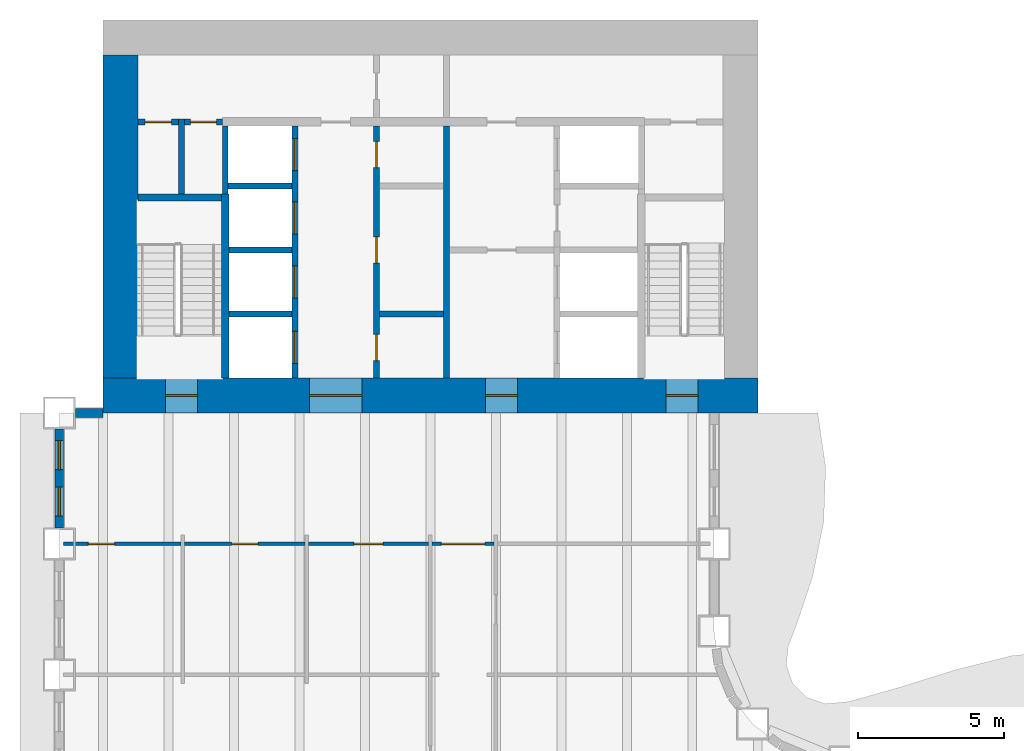
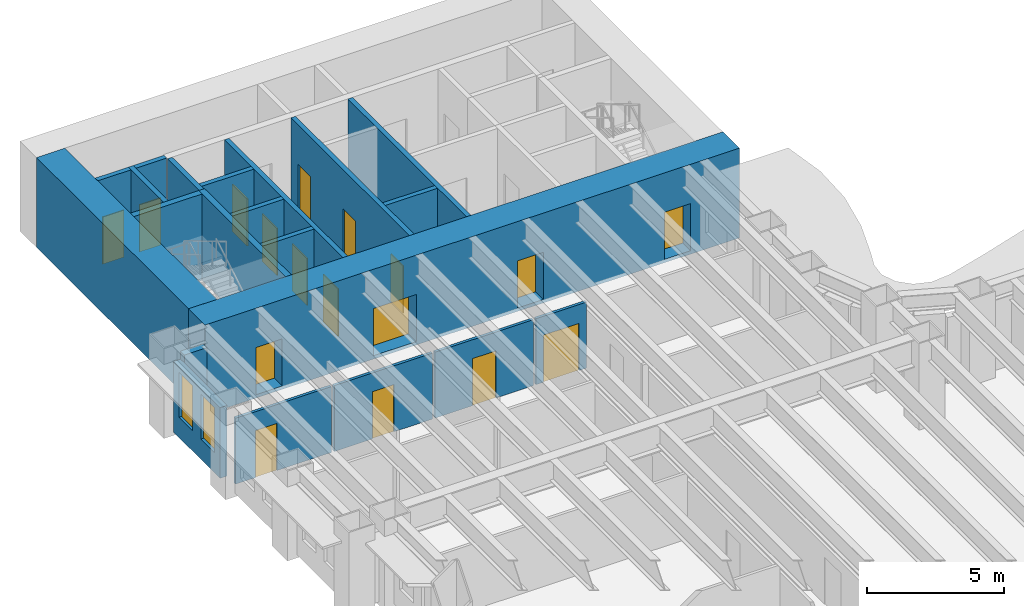
# One storey, part 8 of 17: 21 walls, 17 doors, 2 windows, 19 openings.
"""IFC4 building model written with IfcOpenShell, lengths in metres."""

from ifc_helpers import new_model, si_unit, direction, frame, frame_2d, origin, place, context, subcontext, project, spatial, rectangle, extrude, material, layer, layer_set, type_object, element, fill, save


model = new_model("IFC4")

# Units and contexts
model_context = context("Model", 3, precision=1e-05, world=origin(), true_north=direction((0.0, 1.0)))
body_context = subcontext(model_context, "Body", "Model", "MODEL_VIEW")
ifc_project = project(units=[si_unit("LENGTHUNIT", "METRE"), si_unit("AREAUNIT", "SQUARE_METRE"), si_unit("VOLUMEUNIT", "CUBIC_METRE"), si_unit("PLANEANGLEUNIT", "RADIAN"), si_unit("MASSUNIT", "GRAM", prefix="KILO")], contexts=[model_context])

# Site, building, storey
site_placement = place(None, origin())
site = spatial("IfcSite", under=ifc_project, at=site_placement, CompositionType="ELEMENT")
building_placement = place(site_placement, origin())
building = spatial("IfcBuilding", under=site, at=building_placement, Name="Sennacour Bend Tower", CompositionType="ELEMENT")
storey_placement = place(building_placement, frame((0.0, 0.0, 53.0)))
storey = spatial("IfcBuildingStorey", under=building, at=storey_placement, Name="L11", CompositionType="ELEMENT", Elevation=53.0)

# Wall, openings, doors
ifc_material_1 = material(Name="Concrete C80/95", Category="concrete")
ifc_layer_1 = layer(ifc_material_1, 1.199951171875, Name="Concrete C80/95", Category="concrete")
ifc_layer_set_1 = layer_set([ifc_layer_1], Name="Concrete C80/95")
wall_type_1 = type_object("IfcWallType", Name="Core wall 1200 C80/95", PredefinedType="SHEAR", material=ifc_layer_set_1)
wall_1_placement = place(storey_placement, frame((0.0, 36.60009765625, -0.14990234375), z_axis=(0.0, 0.0, 1.0), x_axis=(1.0, 0.0, 0.0)))
wall_1 = element("IfcWall", 1, at=wall_1_placement, inside=storey, type_object=wall_type_1, Name="Core B wall L11 S", PredefinedType="SHEAR", context=body_context, shape_type="SweptSolid", body=[
    extrude(rectangle(XDim=22.5, YDim=1.199951171875, at=frame_2d((11.25, 0.0))), origin(), (0.0, 0.0, 1.0), 4.0),
])
opening_1_placement = place(wall_1_placement, frame((7.10009765625, 0.0, 0.14990234375)))
opening_1 = element("IfcOpeningElement", 2, at=opening_1_placement, cuts=wall_1, Name="Opening CD", PredefinedType="OPENING", context=body_context, shape_type="SweptSolid", body=[
    extrude(rectangle(XDim=1.800048828125, YDim=2.10009765625, at=frame_2d((0.89990234375, 1.050048828125))), frame((0.0, 0.60986328125, 0.0), z_axis=(0.0, -1.0, 0.0), x_axis=(1.0, 0.0, 0.0)), (0.0, 0.0, 1.0), 1.219970703125),
])
opening_2_placement = place(wall_1_placement, frame((13.14990234375, 0.0, 0.14990234375)))
opening_2 = element("IfcOpeningElement", 3, at=opening_2_placement, cuts=wall_1, Name="Opening FD", PredefinedType="OPENING", context=body_context, shape_type="SweptSolid", body=[
    extrude(rectangle(XDim=1.10009765625, YDim=2.10009765625, at=frame_2d((0.550048828125, 1.050048828125))), frame((0.0, 0.60986328125, 0.0), z_axis=(0.0, -1.0, 0.0), x_axis=(1.0, 0.0, 0.0)), (0.0, 0.0, 1.0), 1.219970703125),
])
opening_3_placement = place(wall_1_placement, frame((2.14990234375, 0.0, 0.14990234375)))
opening_3 = element("IfcOpeningElement", 4, at=opening_3_placement, cuts=wall_1, Name="Opening SD", PredefinedType="OPENING", context=body_context, shape_type="SweptSolid", body=[
    extrude(rectangle(XDim=1.10009765625, YDim=2.10009765625, at=frame_2d((0.550048828125, 1.050048828125))), frame((0.0, 0.60986328125, 0.0), z_axis=(0.0, -1.0, 0.0), x_axis=(1.0, 0.0, 0.0)), (0.0, 0.0, 1.0), 1.219970703125),
])
opening_4_placement = place(wall_1_placement, frame((19.35009765625, 0.0, 0.14990234375)))
opening_4 = element("IfcOpeningElement", 5, at=opening_4_placement, cuts=wall_1, Name="Opening SD", PredefinedType="OPENING", context=body_context, shape_type="SweptSolid", body=[
    extrude(rectangle(XDim=1.10009765625, YDim=2.10009765625, at=frame_2d((0.550048828125, 1.050048828125))), frame((0.0, 0.60986328125, 0.0), z_axis=(0.0, -1.0, 0.0), x_axis=(1.0, 0.0, 0.0)), (0.0, 0.0, 1.0), 1.219970703125),
])
ifc_material_2 = material(Name="Painted steel", Category="steel")
door_type_1 = type_object("IfcDoorType", Name="DR-FFL-1100", OperationType="NOTDEFINED", PredefinedType="DOOR", material=ifc_material_2)
door_1_placement = place(opening_2_placement, origin())
door_1 = element("IfcDoor", 6, at=door_1_placement, inside=storey, type_object=door_type_1, Name="Door", OperationType="SINGLE_SWING_RIGHT", OverallHeight=2.10009765625, OverallWidth=1.10009765625, PredefinedType="DOOR", context=body_context, shape_type="SweptSolid", body=[
    extrude(rectangle(XDim=1.10009765625, YDim=2.10009765625, at=frame_2d((0.550048828125, 1.050048828125))), frame((0.0, 0.02490234375, 0.0), z_axis=(0.0, -1.0, 0.0), x_axis=(1.0, 0.0, 0.0)), (0.0, 0.0, 1.0), 0.050048828125),
])
fill(opening_2, door_1)
door_type_2 = type_object("IfcDoorType", Name="DR-LOBBY-1800", OperationType="NOTDEFINED", PredefinedType="DOOR", material=ifc_material_2)
door_2_placement = place(opening_1_placement, origin())
door_2 = element("IfcDoor", 7, at=door_2_placement, inside=storey, type_object=door_type_2, Name="Door", OperationType="DOUBLE_DOOR_SINGLE_SWING", OverallHeight=2.10009765625, OverallWidth=1.800048828125, PredefinedType="DOOR", context=body_context, shape_type="SweptSolid", body=[
    extrude(rectangle(XDim=1.800048828125, YDim=2.10009765625, at=frame_2d((0.89990234375, 1.050048828125))), frame((0.0, 0.02490234375, 0.0), z_axis=(0.0, -1.0, 0.0), x_axis=(1.0, 0.0, 0.0)), (0.0, 0.0, 1.0), 0.050048828125),
])
fill(opening_1, door_2)
door_type_3 = type_object("IfcDoorType", Name="DR-STAIR-1100", OperationType="NOTDEFINED", PredefinedType="DOOR", material=ifc_material_2)
door_3_placement = place(opening_3_placement, origin())
door_3 = element("IfcDoor", 8, at=door_3_placement, inside=storey, type_object=door_type_3, Name="Door", OperationType="SINGLE_SWING_LEFT", OverallHeight=2.10009765625, OverallWidth=1.10009765625, PredefinedType="DOOR", context=body_context, shape_type="SweptSolid", body=[
    extrude(rectangle(XDim=1.10009765625, YDim=2.10009765625, at=frame_2d((0.550048828125, 1.050048828125))), frame((0.0, 0.02490234375, 0.0), z_axis=(0.0, -1.0, 0.0), x_axis=(1.0, 0.0, 0.0)), (0.0, 0.0, 1.0), 0.050048828125),
])
fill(opening_3, door_3)
door_4_placement = place(opening_4_placement, origin())
door_4 = element("IfcDoor", 9, at=door_4_placement, inside=storey, type_object=door_type_3, Name="Door", OperationType="SINGLE_SWING_RIGHT", OverallHeight=2.10009765625, OverallWidth=1.10009765625, PredefinedType="DOOR", context=body_context, shape_type="SweptSolid", body=[
    extrude(rectangle(XDim=1.10009765625, YDim=2.10009765625, at=frame_2d((0.550048828125, 1.050048828125))), frame((0.0, 0.02490234375, 0.0), z_axis=(0.0, -1.0, 0.0), x_axis=(1.0, 0.0, 0.0)), (0.0, 0.0, 1.0), 0.050048828125),
])
fill(opening_4, door_4)

# Wall
wall_2_placement = place(storey_placement, frame((0.60009765625, 37.199951171875, -0.14990234375), z_axis=(0.0, 0.0, 1.0), x_axis=(0.0, 1.0, 0.0)))
element("IfcWall", 10, at=wall_2_placement, inside=storey, type_object=wall_type_1, Name="Core B wall L11 W", PredefinedType="SHEAR", context=body_context, shape_type="SweptSolid", body=[
    extrude(rectangle(XDim=11.10009765625, YDim=1.199951171875, at=frame_2d((5.550048828125, 0.0))), origin(), (0.0, 0.0, 1.0), 4.0),
])

# Wall, opening, door
ifc_material_3 = material(Name="Plasterboard partition on steel studs", Category="steel")
ifc_layer_2 = layer(ifc_material_3, 0.1201171875, Name="Plasterboard partition on steel studs", Category="steel")
ifc_layer_set_2 = layer_set([ifc_layer_2], Name="Plasterboard partition on steel studs")
wall_type_2 = type_object("IfcWallType", Name="Partition 120", PredefinedType="PARTITIONING", material=ifc_layer_set_2)
wall_3_placement = place(storey_placement, frame((-1.35009765625, 31.5, 0.0), z_axis=(0.0, 0.0, 1.0), x_axis=(1.0, 0.0, 0.0)))
wall_3 = element("IfcWall", 11, at=wall_3_placement, inside=storey, type_object=wall_type_2, Name="P-L11-W077aa", PredefinedType="PARTITIONING", context=body_context, shape_type="SweptSolid", body=[
    extrude(rectangle(XDim=4.0400390625, YDim=0.1201171875, at=frame_2d((2.02001953125, 0.0))), origin(), (0.0, 0.0, 1.0), 2.93798828125),
])
opening_5_placement = place(wall_3_placement, frame((0.85009765625, 0.0, 0.0)))
opening_5 = element("IfcOpeningElement", 12, at=opening_5_placement, cuts=wall_3, Name="Opening WD", PredefinedType="OPENING", context=body_context, shape_type="SweptSolid", body=[
    extrude(rectangle(XDim=0.89990234375, YDim=2.10009765625, at=frame_2d((0.449951171875, 1.050048828125))), frame((0.0, 0.070068359375, 0.0), z_axis=(0.0, -1.0, 0.0), x_axis=(1.0, 0.0, 0.0)), (0.0, 0.0, 1.0), 0.14013671875),
])
ifc_material_4 = material(Name="Timber", Category="wood")
door_type_4 = type_object("IfcDoorType", Name="DR-WC-900", OperationType="NOTDEFINED", PredefinedType="DOOR", material=ifc_material_4)
door_5_placement = place(opening_5_placement, origin())
door_5 = element("IfcDoor", 13, at=door_5_placement, inside=storey, type_object=door_type_4, Name="Door", OperationType="SINGLE_SWING_LEFT", OverallHeight=2.10009765625, OverallWidth=0.89990234375, PredefinedType="DOOR", context=body_context, shape_type="SweptSolid", body=[
    extrude(rectangle(XDim=0.89990234375, YDim=2.10009765625, at=frame_2d((0.449951171875, 1.050048828125))), frame((0.0, 0.02490234375, 0.0), z_axis=(0.0, -1.0, 0.0), x_axis=(1.0, 0.0, 0.0)), (0.0, 0.0, 1.0), 0.050048828125),
])
fill(opening_5, door_5)

wall_4_placement = place(storey_placement, frame((2.81005859375, 31.5, 0.0), z_axis=(0.0, 0.0, 1.0), x_axis=(1.0, 0.0, 0.0)))
wall_4 = element("IfcWall", 14, at=wall_4_placement, inside=storey, type_object=wall_type_2, Name="P-L11-W077ab", PredefinedType="PARTITIONING", context=body_context, shape_type="SweptSolid", body=[
    extrude(rectangle(XDim=4.1298828125, YDim=0.1201171875, at=frame_2d((2.06494140625, 0.0))), origin(), (0.0, 0.0, 1.0), 2.93798828125),
])
opening_6_placement = place(wall_4_placement, frame((1.614990234375, 0.0, 0.0)))
opening_6 = element("IfcOpeningElement", 15, at=opening_6_placement, cuts=wall_4, Name="Opening WD", PredefinedType="OPENING", context=body_context, shape_type="SweptSolid", body=[
    extrude(rectangle(XDim=0.89990234375, YDim=2.10009765625, at=frame_2d((0.449951171875, 1.050048828125))), frame((0.0, 0.070068359375, 0.0), z_axis=(0.0, -1.0, 0.0), x_axis=(1.0, 0.0, 0.0)), (0.0, 0.0, 1.0), 0.14013671875),
])
door_6_placement = place(opening_6_placement, origin())
door_6 = element("IfcDoor", 16, at=door_6_placement, inside=storey, type_object=door_type_4, Name="Door", OperationType="SINGLE_SWING_LEFT", OverallHeight=2.10009765625, OverallWidth=0.89990234375, PredefinedType="DOOR", context=body_context, shape_type="SweptSolid", body=[
    extrude(rectangle(XDim=0.89990234375, YDim=2.10009765625, at=frame_2d((0.449951171875, 1.050048828125))), frame((0.0, 0.02490234375, 0.0), z_axis=(0.0, -1.0, 0.0), x_axis=(1.0, 0.0, 0.0)), (0.0, 0.0, 1.0), 0.050048828125),
])
fill(opening_6, door_6)

wall_5_placement = place(storey_placement, frame((7.06005859375, 31.5, 0.0), z_axis=(0.0, 0.0, 1.0), x_axis=(1.0, 0.0, 0.0)))
wall_5 = element("IfcWall", 17, at=wall_5_placement, inside=storey, type_object=wall_type_2, Name="P-L11-W077ac", PredefinedType="PARTITIONING", context=body_context, shape_type="SweptSolid", body=[
    extrude(rectangle(XDim=4.1298828125, YDim=0.1201171875, at=frame_2d((2.06494140625, 0.0))), origin(), (0.0, 0.0, 1.0), 2.93798828125),
])
opening_7_placement = place(wall_5_placement, frame((1.56494140625, 0.0, 0.0)))
opening_7 = element("IfcOpeningElement", 18, at=opening_7_placement, cuts=wall_5, Name="Opening AD", PredefinedType="OPENING", context=body_context, shape_type="SweptSolid", body=[
    extrude(rectangle(XDim=1.0, YDim=2.10009765625, at=frame_2d((0.5, 1.050048828125))), frame((0.0, 0.070068359375, 0.0), z_axis=(0.0, -1.0, 0.0), x_axis=(1.0, 0.0, 0.0)), (0.0, 0.0, 1.0), 0.14013671875),
])
door_type_5 = type_object("IfcDoorType", Name="DR-ACC-WC-1000", OperationType="NOTDEFINED", PredefinedType="DOOR", material=ifc_material_4)
door_7_placement = place(opening_7_placement, origin())
door_7 = element("IfcDoor", 19, at=door_7_placement, inside=storey, type_object=door_type_5, Name="Door", OperationType="SINGLE_SWING_LEFT", OverallHeight=2.10009765625, OverallWidth=1.0, PredefinedType="DOOR", context=body_context, shape_type="SweptSolid", body=[
    extrude(rectangle(XDim=1.0, YDim=2.10009765625, at=frame_2d((0.5, 1.050048828125))), frame((0.0, 0.02490234375, 0.0), z_axis=(0.0, -1.0, 0.0), x_axis=(1.0, 0.0, 0.0)), (0.0, 0.0, 1.0), 0.050048828125),
])
fill(opening_7, door_7)

ifc_layer_3 = layer(ifc_material_3, 0.1201171875, Name="Plasterboard partition on steel studs", Category="steel")
ifc_layer_set_3 = layer_set([ifc_layer_3], Name="Plasterboard partition on steel studs")
wall_type_3 = type_object("IfcWallType", Name="Partition 120 EI 30", PredefinedType="PARTITIONING", material=ifc_layer_set_3)
wall_6_placement = place(storey_placement, frame((11.31005859375, 31.5, 0.0), z_axis=(0.0, 0.0, 1.0), x_axis=(1.0, 0.0, 0.0)))
wall_6 = element("IfcWall", 20, at=wall_6_placement, inside=storey, type_object=wall_type_3, Name="P-L11-W077ad", PredefinedType="PARTITIONING", context=body_context, shape_type="SweptSolid", body=[
    extrude(rectangle(XDim=2.1298828125, YDim=0.1201171875, at=frame_2d((1.06494140625, 0.0))), origin(), (0.0, 0.0, 1.0), 2.93798828125),
])
opening_8_placement = place(wall_6_placement, frame((0.31494140625, 0.0, 0.0)))
opening_8 = element("IfcOpeningElement", 21, at=opening_8_placement, cuts=wall_6, Name="Opening KD", PredefinedType="OPENING", context=body_context, shape_type="SweptSolid", body=[
    extrude(rectangle(XDim=1.5, YDim=2.10009765625, at=frame_2d((0.75, 1.050048828125))), frame((0.0, 0.070068359375, 0.0), z_axis=(0.0, -1.0, 0.0), x_axis=(1.0, 0.0, 0.0)), (0.0, 0.0, 1.0), 0.14013671875),
])
door_type_6 = type_object("IfcDoorType", Name="DR-CORRIDOR-1500", OperationType="NOTDEFINED", PredefinedType="DOOR", material=ifc_material_2)
door_8_placement = place(opening_8_placement, origin())
door_8 = element("IfcDoor", 22, at=door_8_placement, inside=storey, type_object=door_type_6, Name="Door", OperationType="SINGLE_SWING_LEFT", OverallHeight=2.10009765625, OverallWidth=1.5, PredefinedType="DOOR", context=body_context, shape_type="SweptSolid", body=[
    extrude(rectangle(XDim=1.5, YDim=2.10009765625, at=frame_2d((0.75, 1.050048828125))), frame((0.0, 0.02490234375, 0.0), z_axis=(0.0, -1.0, 0.0), x_axis=(1.0, 0.0, 0.0)), (0.0, 0.0, 1.0), 0.050048828125),
])
fill(opening_8, door_8)

# Wall
ifc_material_5 = material(Name="Fire-rated plasterboard partition on steel studs", Category="steel")
ifc_layer_4 = layer(ifc_material_5, 0.199951171875, Name="Fire-rated plasterboard partition on steel studs", Category="steel")
ifc_layer_set_4 = layer_set([ifc_layer_4], Name="Fire-rated plasterboard partition on steel studs")
wall_type_4 = type_object("IfcWallType", Name="Rated partition 200", PredefinedType="PARTITIONING", material=ifc_layer_set_4)
wall_7_placement = place(storey_placement, frame((2.699951171875, 43.52490234375, 0.0), z_axis=(0.0, 0.0, 1.0), x_axis=(0.0, 1.0, 0.0)))
element("IfcWall", 23, at=wall_7_placement, inside=storey, type_object=wall_type_4, Name="P-L11-W004", PredefinedType="PARTITIONING", context=body_context, shape_type="SweptSolid", body=[
    extrude(rectangle(XDim=2.5751953125, YDim=0.199951171875, at=frame_2d((1.28759765625, 0.0))), origin(), (0.0, 0.0, 1.0), 3.85009765625),
])

# Wall, openings, doors
wall_8_placement = place(storey_placement, frame((9.39990234375, 37.199951171875, 0.0), z_axis=(0.0, 0.0, 1.0), x_axis=(0.0, 1.0, 0.0)))
wall_8 = element("IfcWall", 24, at=wall_8_placement, inside=storey, type_object=wall_type_4, Name="P-L11-W013a", PredefinedType="PARTITIONING", context=body_context, shape_type="SweptSolid", body=[
    extrude(rectangle(XDim=8.650146484375, YDim=0.199951171875, at=frame_2d((4.3251953125, 0.0))), origin(), (0.0, 0.0, 1.0), 3.85009765625),
])
opening_9_placement = place(wall_8_placement, frame((0.60009765625, 0.0, 0.0)))
opening_9 = element("IfcOpeningElement", 25, at=opening_9_placement, cuts=wall_8, Name="Opening SV", PredefinedType="OPENING", context=body_context, shape_type="SweptSolid", body=[
    extrude(rectangle(XDim=0.89990234375, YDim=2.10009765625, at=frame_2d((0.449951171875, 1.050048828125))), frame((0.0, 0.10986328125, 0.0), z_axis=(0.0, -1.0, 0.0), x_axis=(1.0, 0.0, 0.0)), (0.0, 0.0, 1.0), 0.219970703125),
])
opening_10_placement = place(wall_8_placement, frame((3.949951171875, 0.0, 0.0)))
opening_10 = element("IfcOpeningElement", 26, at=opening_10_placement, cuts=wall_8, Name="Opening WD", PredefinedType="OPENING", context=body_context, shape_type="SweptSolid", body=[
    extrude(rectangle(XDim=0.89990234375, YDim=2.10009765625, at=frame_2d((0.449951171875, 1.050048828125))), frame((0.0, 0.10986328125, 0.0), z_axis=(0.0, -1.0, 0.0), x_axis=(1.0, 0.0, 0.0)), (0.0, 0.0, 1.0), 0.219970703125),
])
opening_11_placement = place(wall_8_placement, frame((7.22509765625, 0.0, 0.0)))
opening_11 = element("IfcOpeningElement", 27, at=opening_11_placement, cuts=wall_8, Name="Opening SV", PredefinedType="OPENING", context=body_context, shape_type="SweptSolid", body=[
    extrude(rectangle(XDim=0.89990234375, YDim=2.10009765625, at=frame_2d((0.449951171875, 1.050048828125))), frame((0.0, 0.10986328125, 0.0), z_axis=(0.0, -1.0, 0.0), x_axis=(1.0, 0.0, 0.0)), (0.0, 0.0, 1.0), 0.219970703125),
])
door_type_7 = type_object("IfcDoorType", Name="DR-SERVICE-900", OperationType="NOTDEFINED", PredefinedType="DOOR", material=ifc_material_2)
door_9_placement = place(opening_9_placement, origin())
door_9 = element("IfcDoor", 28, at=door_9_placement, inside=storey, type_object=door_type_7, Name="Door", OperationType="SINGLE_SWING_LEFT", OverallHeight=2.10009765625, OverallWidth=0.89990234375, PredefinedType="DOOR", context=body_context, shape_type="SweptSolid", body=[
    extrude(rectangle(XDim=0.89990234375, YDim=2.10009765625, at=frame_2d((0.449951171875, 1.050048828125))), frame((0.0, 0.02490234375, 0.0), z_axis=(0.0, -1.0, 0.0), x_axis=(1.0, 0.0, 0.0)), (0.0, 0.0, 1.0), 0.050048828125),
])
fill(opening_9, door_9)
door_10_placement = place(opening_11_placement, origin())
door_10 = element("IfcDoor", 29, at=door_10_placement, inside=storey, type_object=door_type_7, Name="Door", OperationType="SINGLE_SWING_RIGHT", OverallHeight=2.10009765625, OverallWidth=0.89990234375, PredefinedType="DOOR", context=body_context, shape_type="SweptSolid", body=[
    extrude(rectangle(XDim=0.89990234375, YDim=2.10009765625, at=frame_2d((0.449951171875, 1.050048828125))), frame((0.0, 0.02490234375, 0.0), z_axis=(0.0, -1.0, 0.0), x_axis=(1.0, 0.0, 0.0)), (0.0, 0.0, 1.0), 0.050048828125),
])
fill(opening_11, door_10)
door_11_placement = place(opening_10_placement, origin())
door_11 = element("IfcDoor", 30, at=door_11_placement, inside=storey, type_object=door_type_4, Name="Door", OperationType="SINGLE_SWING_RIGHT", OverallHeight=2.10009765625, OverallWidth=0.89990234375, PredefinedType="DOOR", context=body_context, shape_type="SweptSolid", body=[
    extrude(rectangle(XDim=0.89990234375, YDim=2.10009765625, at=frame_2d((0.449951171875, 1.050048828125))), frame((0.0, 0.02490234375, 0.0), z_axis=(0.0, -1.0, 0.0), x_axis=(1.0, 0.0, 0.0)), (0.0, 0.0, 1.0), 0.050048828125),
])
fill(opening_10, door_11)

# Walls
wall_9_placement = place(storey_placement, frame((11.800048828125, 37.199951171875, 0.0), z_axis=(0.0, 0.0, 1.0), x_axis=(0.0, 1.0, 0.0)))
element("IfcWall", 31, at=wall_9_placement, inside=storey, type_object=wall_type_4, Name="P-L11-W015a", PredefinedType="PARTITIONING", context=body_context, shape_type="SweptSolid", body=[
    extrude(rectangle(XDim=8.650146484375, YDim=0.199951171875, at=frame_2d((4.3251953125, 0.0))), origin(), (0.0, 0.0, 1.0), 3.85009765625),
])
wall_10_placement = place(storey_placement, frame((9.5, 39.39990234375, 0.0), z_axis=(0.0, 0.0, 1.0), x_axis=(1.0, 0.0, 0.0)))
element("IfcWall", 32, at=wall_10_placement, inside=storey, type_object=wall_type_4, Name="P-L11-W080", PredefinedType="PARTITIONING", context=body_context, shape_type="SweptSolid", body=[
    extrude(rectangle(XDim=2.199951171875, YDim=0.199951171875, at=frame_2d((1.10009765625, 0.0))), origin(), (0.0, 0.0, 1.0), 3.85009765625),
])

# Wall, opening, door
wall_11_placement = place(storey_placement, frame((1.199951171875, 46.0, 0.0), z_axis=(0.0, 0.0, 1.0), x_axis=(1.0, 0.0, 0.0)))
wall_11 = element("IfcWall", 33, at=wall_11_placement, inside=storey, type_object=wall_type_4, Name="P-L11-W090a", PredefinedType="PARTITIONING", context=body_context, shape_type="SweptSolid", body=[
    extrude(rectangle(XDim=1.400146484375, YDim=0.199951171875, at=frame_2d((0.7001953125, 0.0))), origin(), (0.0, 0.0, 1.0), 3.85009765625),
])
opening_12_placement = place(wall_11_placement, frame((0.25, 0.0, 0.0)))
opening_12 = element("IfcOpeningElement", 34, at=opening_12_placement, cuts=wall_11, Name="Opening SV", PredefinedType="OPENING", context=body_context, shape_type="SweptSolid", body=[
    extrude(rectangle(XDim=0.89990234375, YDim=2.10009765625, at=frame_2d((0.449951171875, 1.050048828125))), frame((0.0, 0.10986328125, 0.0), z_axis=(0.0, -1.0, 0.0), x_axis=(1.0, 0.0, 0.0)), (0.0, 0.0, 1.0), 0.219970703125),
])
door_12_placement = place(opening_12_placement, origin())
door_12 = element("IfcDoor", 35, at=door_12_placement, inside=storey, type_object=door_type_7, Name="Door", OperationType="SINGLE_SWING_LEFT", OverallHeight=2.10009765625, OverallWidth=0.89990234375, PredefinedType="DOOR", context=body_context, shape_type="SweptSolid", body=[
    extrude(rectangle(XDim=0.89990234375, YDim=2.10009765625, at=frame_2d((0.449951171875, 1.050048828125))), frame((0.0, 0.02490234375, 0.0), z_axis=(0.0, -1.0, 0.0), x_axis=(1.0, 0.0, 0.0)), (0.0, 0.0, 1.0), 0.050048828125),
])
fill(opening_12, door_12)

wall_12_placement = place(storey_placement, frame((2.800048828125, 46.0, 0.0), z_axis=(0.0, 0.0, 1.0), x_axis=(1.0, 0.0, 0.0)))
wall_12 = element("IfcWall", 36, at=wall_12_placement, inside=storey, type_object=wall_type_4, Name="P-L11-W090b", PredefinedType="PARTITIONING", context=body_context, shape_type="SweptSolid", body=[
    extrude(rectangle(XDim=1.300048828125, YDim=0.199951171875, at=frame_2d((0.64990234375, 0.0))), origin(), (0.0, 0.0, 1.0), 3.85009765625),
])
opening_13_placement = place(wall_12_placement, frame((0.199951171875, 0.0, 0.0)))
opening_13 = element("IfcOpeningElement", 37, at=opening_13_placement, cuts=wall_12, Name="Opening SV", PredefinedType="OPENING", context=body_context, shape_type="SweptSolid", body=[
    extrude(rectangle(XDim=0.89990234375, YDim=2.10009765625, at=frame_2d((0.449951171875, 1.050048828125))), frame((0.0, 0.10986328125, 0.0), z_axis=(0.0, -1.0, 0.0), x_axis=(1.0, 0.0, 0.0)), (0.0, 0.0, 1.0), 0.219970703125),
])
door_13_placement = place(opening_13_placement, origin())
door_13 = element("IfcDoor", 38, at=door_13_placement, inside=storey, type_object=door_type_7, Name="Door", OperationType="SINGLE_SWING_LEFT", OverallHeight=2.10009765625, OverallWidth=0.89990234375, PredefinedType="DOOR", context=body_context, shape_type="SweptSolid", body=[
    extrude(rectangle(XDim=0.89990234375, YDim=2.10009765625, at=frame_2d((0.449951171875, 1.050048828125))), frame((0.0, 0.02490234375, 0.0), z_axis=(0.0, -1.0, 0.0), x_axis=(1.0, 0.0, 0.0)), (0.0, 0.0, 1.0), 0.050048828125),
])
fill(opening_13, door_13)

# Wall
ifc_material_6 = material(Name="Warm limestone cladding", Category="masonry")
ifc_layer_5 = layer(ifc_material_6, 0.050048828125, Name="Warm limestone cladding", Category="masonry")
ifc_material_7 = material(Name="Precast concrete C40/50", Category="concrete")
ifc_layer_6 = layer(ifc_material_7, 0.25, Name="Precast concrete C40/50", Category="concrete")
ifc_layer_set_5 = layer_set([ifc_layer_5, ifc_layer_6], Name="Precast concrete C40/50 with limestone cladding")
wall_type_5 = type_object("IfcWallType", Name="STONE-CLAD PRECAST SPANDREL 300", PredefinedType="STANDARD", material=ifc_layer_set_5)
wall_13_placement = place(storey_placement, frame((0.0, 36.0, 0.0), z_axis=(0.0, 0.0, 1.0), x_axis=(-1.0, 0.0, 0.0)))
element("IfcWall", 39, at=wall_13_placement, inside=storey, type_object=wall_type_5, Name="Stone spandrel and pier wall L11 20.00", PredefinedType="STANDARD", context=body_context, shape_type="SweptSolid", body=[
    extrude(rectangle(XDim=0.949951171875, YDim=0.300048828125, at=frame_2d((0.47509765625, 0.0))), origin(), (0.0, 0.0, 1.0), 2.93798828125),
])

# Wall, openings, windows
wall_14_placement = place(storey_placement, frame((-1.5, 35.449951171875, 0.0), z_axis=(0.0, 0.0, 1.0), x_axis=(0.0, -1.0, 0.0)))
wall_14 = element("IfcWall", 40, at=wall_14_placement, inside=storey, type_object=wall_type_5, Name="Stone spandrel and pier wall L11 21.00", PredefinedType="STANDARD", context=body_context, shape_type="SweptSolid", body=[
    extrude(rectangle(XDim=3.39990234375, YDim=0.300048828125, at=frame_2d((1.699951171875, 0.0))), origin(), (0.0, 0.0, 1.0), 3.14404296875),
])
opening_14_placement = place(wall_14_placement, frame((0.39990234375, 0.0, 0.89990234375)))
opening_14 = element("IfcOpeningElement", 41, at=opening_14_placement, cuts=wall_14, Name="Opening W8", PredefinedType="OPENING", context=body_context, shape_type="SweptSolid", body=[
    extrude(rectangle(XDim=1.0, YDim=2.0, at=frame_2d((0.5, 1.0))), frame((0.0, 0.16015625, 0.0), z_axis=(0.0, -1.0, 0.0), x_axis=(1.0, 0.0, 0.0)), (0.0, 0.0, 1.0), 0.320068359375),
])
opening_15_placement = place(wall_14_placement, frame((2.0, 0.0, 0.89990234375)))
opening_15 = element("IfcOpeningElement", 42, at=opening_15_placement, cuts=wall_14, Name="Opening W8", PredefinedType="OPENING", context=body_context, shape_type="SweptSolid", body=[
    extrude(rectangle(XDim=1.0, YDim=2.0, at=frame_2d((0.5, 1.0))), frame((0.0, 0.16015625, 0.0), z_axis=(0.0, -1.0, 0.0), x_axis=(1.0, 0.0, 0.0)), (0.0, 0.0, 1.0), 0.320068359375),
])
ifc_material_8 = material(Name="Clear low-emissivity glass", Category="glass")
window_type = type_object("IfcWindowType", Name="WIN-RIBBON-1000x2000", PartitioningType="SINGLE_PANEL", PredefinedType="WINDOW", material=ifc_material_8)
window_1_placement = place(opening_14_placement, origin())
window_1 = element("IfcWindow", 43, at=window_1_placement, inside=storey, type_object=window_type, Name="Ribbon window L11 21.00.0", OverallHeight=2.0, OverallWidth=1.0, PartitioningType="SINGLE_PANEL", PredefinedType="WINDOW", context=body_context, shape_type="SweptSolid", body=[
    extrude(rectangle(XDim=1.0, YDim=2.0, at=frame_2d((0.5, 1.0))), frame((0.0, 0.030029296875, 0.0), z_axis=(0.0, -1.0, 0.0), x_axis=(1.0, 0.0, 0.0)), (0.0, 0.0, 1.0), 0.06005859375),
])
fill(opening_14, window_1)
window_2_placement = place(opening_15_placement, origin())
window_2 = element("IfcWindow", 44, at=window_2_placement, inside=storey, type_object=window_type, Name="Ribbon window L11 21.00.1", OverallHeight=2.0, OverallWidth=1.0, PartitioningType="SINGLE_PANEL", PredefinedType="WINDOW", context=body_context, shape_type="SweptSolid", body=[
    extrude(rectangle(XDim=1.0, YDim=2.0, at=frame_2d((0.5, 1.0))), frame((0.0, 0.030029296875, 0.0), z_axis=(0.0, -1.0, 0.0), x_axis=(1.0, 0.0, 0.0)), (0.0, 0.0, 1.0), 0.06005859375),
])
fill(opening_15, window_2)

# Wall
ifc_material_9 = material(Name="Concrete C50/60", Category="concrete")
ifc_layer_7 = layer(ifc_material_9, 0.199951171875, Name="Concrete C50/60", Category="concrete")
ifc_layer_set_6 = layer_set([ifc_layer_7], Name="Concrete C50/60")
wall_type_6 = type_object("IfcWallType", Name="Shaft wall 200", PredefinedType="SOLIDWALL", material=ifc_layer_set_6)
wall_15_placement = place(storey_placement, frame((4.199951171875, 43.52490234375, 0.0), z_axis=(0.0, 0.0, 1.0), x_axis=(0.0, 1.0, 0.0)))
element("IfcWall", 45, at=wall_15_placement, inside=storey, type_object=wall_type_6, Name="P-L11-W007", PredefinedType="SOLIDWALL", context=body_context, shape_type="SweptSolid", body=[
    extrude(rectangle(XDim=2.3251953125, YDim=0.199951171875, at=frame_2d((1.16259765625, 0.0))), origin(), (0.0, 0.0, 1.0), 3.85009765625),
])

# Wall, openings, doors
wall_16_placement = place(storey_placement, frame((6.60009765625, 37.199951171875, 0.0), z_axis=(0.0, 0.0, 1.0), x_axis=(0.0, 1.0, 0.0)))
wall_16 = element("IfcWall", 46, at=wall_16_placement, inside=storey, type_object=wall_type_6, Name="P-L11-W008", PredefinedType="SOLIDWALL", context=body_context, shape_type="SweptSolid", body=[
    extrude(rectangle(XDim=8.650146484375, YDim=0.199951171875, at=frame_2d((4.3251953125, 0.0))), origin(), (0.0, 0.0, 1.0), 3.85009765625),
])
opening_16_placement = place(wall_16_placement, frame((0.5, 0.0, 0.011962890625)))
opening_16 = element("IfcOpeningElement", 47, at=opening_16_placement, cuts=wall_16, Name="Opening LD", PredefinedType="OPENING", context=body_context, shape_type="SweptSolid", body=[
    extrude(rectangle(XDim=1.10009765625, YDim=2.10009765625, at=frame_2d((0.550048828125, 1.050048828125))), frame((0.0, 0.10986328125, 0.0), z_axis=(0.0, -1.0, 0.0), x_axis=(1.0, 0.0, 0.0)), (0.0, 0.0, 1.0), 0.219970703125),
])
opening_17_placement = place(wall_16_placement, frame((2.75, 0.0, 0.011962890625)))
opening_17 = element("IfcOpeningElement", 48, at=opening_17_placement, cuts=wall_16, Name="Opening LD", PredefinedType="OPENING", context=body_context, shape_type="SweptSolid", body=[
    extrude(rectangle(XDim=1.10009765625, YDim=2.10009765625, at=frame_2d((0.550048828125, 1.050048828125))), frame((0.0, 0.10986328125, 0.0), z_axis=(0.0, -1.0, 0.0), x_axis=(1.0, 0.0, 0.0)), (0.0, 0.0, 1.0), 0.219970703125),
])
opening_18_placement = place(wall_16_placement, frame((4.949951171875, 0.0, 0.011962890625)))
opening_18 = element("IfcOpeningElement", 49, at=opening_18_placement, cuts=wall_16, Name="Opening LD", PredefinedType="OPENING", context=body_context, shape_type="SweptSolid", body=[
    extrude(rectangle(XDim=1.10009765625, YDim=2.10009765625, at=frame_2d((0.550048828125, 1.050048828125))), frame((0.0, 0.10986328125, 0.0), z_axis=(0.0, -1.0, 0.0), x_axis=(1.0, 0.0, 0.0)), (0.0, 0.0, 1.0), 0.219970703125),
])
opening_19_placement = place(wall_16_placement, frame((7.125, 0.0, 0.011962890625)))
opening_19 = element("IfcOpeningElement", 50, at=opening_19_placement, cuts=wall_16, Name="Opening LD", PredefinedType="OPENING", context=body_context, shape_type="SweptSolid", body=[
    extrude(rectangle(XDim=1.10009765625, YDim=2.10009765625, at=frame_2d((0.550048828125, 1.050048828125))), frame((0.0, 0.10986328125, 0.0), z_axis=(0.0, -1.0, 0.0), x_axis=(1.0, 0.0, 0.0)), (0.0, 0.0, 1.0), 0.219970703125),
])
ifc_material_10 = material(Name="Stainless steel", Category="steel")
door_type_8 = type_object("IfcDoorType", Name="DR-LANDING-1100", OperationType="NOTDEFINED", PredefinedType="DOOR", material=ifc_material_10)
door_14_placement = place(opening_16_placement, origin())
door_14 = element("IfcDoor", 51, at=door_14_placement, inside=storey, type_object=door_type_8, Name="Lift landing door LB1", OperationType="SLIDING_TO_LEFT", OverallHeight=2.10009765625, OverallWidth=1.10009765625, PredefinedType="DOOR", context=body_context, shape_type="SweptSolid", body=[
    extrude(rectangle(XDim=1.10009765625, YDim=2.10009765625, at=frame_2d((0.550048828125, 1.050048828125))), frame((0.0, 0.02490234375, 0.0), z_axis=(0.0, -1.0, 0.0), x_axis=(1.0, 0.0, 0.0)), (0.0, 0.0, 1.0), 0.050048828125),
])
fill(opening_16, door_14)
door_15_placement = place(opening_17_placement, origin())
door_15 = element("IfcDoor", 52, at=door_15_placement, inside=storey, type_object=door_type_8, Name="Lift landing door LB2", OperationType="SLIDING_TO_RIGHT", OverallHeight=2.10009765625, OverallWidth=1.10009765625, PredefinedType="DOOR", context=body_context, shape_type="SweptSolid", body=[
    extrude(rectangle(XDim=1.10009765625, YDim=2.10009765625, at=frame_2d((0.550048828125, 1.050048828125))), frame((0.0, 0.02490234375, 0.0), z_axis=(0.0, -1.0, 0.0), x_axis=(1.0, 0.0, 0.0)), (0.0, 0.0, 1.0), 0.050048828125),
])
fill(opening_17, door_15)
door_16_placement = place(opening_18_placement, origin())
door_16 = element("IfcDoor", 53, at=door_16_placement, inside=storey, type_object=door_type_8, Name="Lift landing door LB3", OperationType="SLIDING_TO_LEFT", OverallHeight=2.10009765625, OverallWidth=1.10009765625, PredefinedType="DOOR", context=body_context, shape_type="SweptSolid", body=[
    extrude(rectangle(XDim=1.10009765625, YDim=2.10009765625, at=frame_2d((0.550048828125, 1.050048828125))), frame((0.0, 0.02490234375, 0.0), z_axis=(0.0, -1.0, 0.0), x_axis=(1.0, 0.0, 0.0)), (0.0, 0.0, 1.0), 0.050048828125),
])
fill(opening_18, door_16)
door_17_placement = place(opening_19_placement, origin())
door_17 = element("IfcDoor", 54, at=door_17_placement, inside=storey, type_object=door_type_8, Name="Lift landing door LB4", OperationType="SLIDING_TO_RIGHT", OverallHeight=2.10009765625, OverallWidth=1.10009765625, PredefinedType="DOOR", context=body_context, shape_type="SweptSolid", body=[
    extrude(rectangle(XDim=1.10009765625, YDim=2.10009765625, at=frame_2d((0.550048828125, 1.050048828125))), frame((0.0, 0.02490234375, 0.0), z_axis=(0.0, -1.0, 0.0), x_axis=(1.0, 0.0, 0.0)), (0.0, 0.0, 1.0), 0.050048828125),
])
fill(opening_19, door_17)

# Walls
for number, where, z_axis, x_axis, name in (
    (55, (4.324951171875, 39.39990234375, 0.0), (0.0, 0.0, 1.0), (1.0, 0.0, 0.0), "P-L11-W079"),
    (56, (4.324951171875, 41.60009765625, 0.0), (0.0, 0.0, 1.0), (1.0, 0.0, 0.0), "P-L11-W082"),
):
    element("IfcWall", number, at=place(storey_placement, frame(where, z_axis=z_axis, x_axis=x_axis)), inside=storey, type_object=wall_type_6, Name=name, PredefinedType="SOLIDWALL", context=body_context, shape_type="SweptSolid", body=[
        extrude(rectangle(XDim=2.175048828125, YDim=0.199951171875, at=frame_2d((1.08740234375, 0.0))), origin(), (0.0, 0.0, 1.0), 3.85009765625),
    ])
wall_17_placement = place(storey_placement, frame((4.300048828125, 43.800048828125, 0.0), z_axis=(0.0, 0.0, 1.0), x_axis=(1.0, 0.0, 0.0)))
element("IfcWall", 57, at=wall_17_placement, inside=storey, type_object=wall_type_6, Name="P-L11-W087", PredefinedType="SOLIDWALL", context=body_context, shape_type="SweptSolid", body=[
    extrude(rectangle(XDim=2.199951171875, YDim=0.199951171875, at=frame_2d((1.10009765625, 0.0))), origin(), (0.0, 0.0, 1.0), 3.85009765625),
])
ifc_material_11 = material(Name="Concrete C60/75", Category="concrete")
ifc_layer_8 = layer(ifc_material_11, 0.25, Name="Concrete C60/75", Category="concrete")
ifc_layer_set_7 = layer_set([ifc_layer_8], Name="Concrete C60/75")
wall_type_7 = type_object("IfcWallType", Name="Stair wall 250", PredefinedType="SHEAR", material=ifc_layer_set_7)
wall_18_placement = place(storey_placement, frame((4.199951171875, 37.199951171875, 0.0), z_axis=(0.0, 0.0, 1.0), x_axis=(0.0, 1.0, 0.0)))
element("IfcWall", 58, at=wall_18_placement, inside=storey, type_object=wall_type_7, Name="P-L11-W006", PredefinedType="SHEAR", context=body_context, shape_type="SweptSolid", body=[
    extrude(rectangle(XDim=6.324951171875, YDim=0.25, at=frame_2d((3.16259765625, 0.0))), origin(), (0.0, 0.0, 1.0), 3.85009765625),
])
wall_19_placement = place(storey_placement, frame((1.199951171875, 43.39990234375, 0.0), z_axis=(0.0, 0.0, 1.0), x_axis=(1.0, 0.0, 0.0)))
element("IfcWall", 59, at=wall_19_placement, inside=storey, type_object=wall_type_7, Name="P-L11-W085", PredefinedType="SHEAR", context=body_context, shape_type="SweptSolid", body=[
    extrude(rectangle(XDim=2.875, YDim=0.25, at=frame_2d((1.4375, 0.0))), origin(), (0.0, 0.0, 1.0), 3.85009765625),
])

save(model, "model.ifc")
